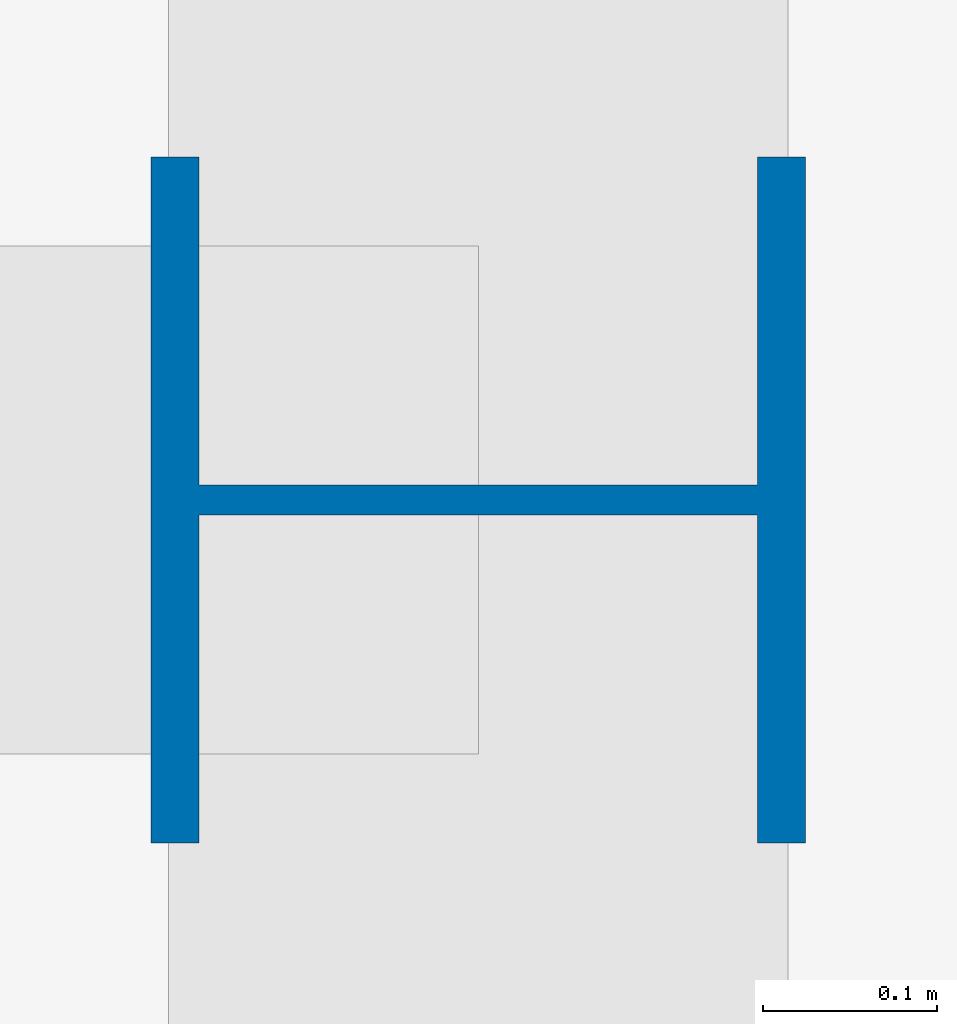
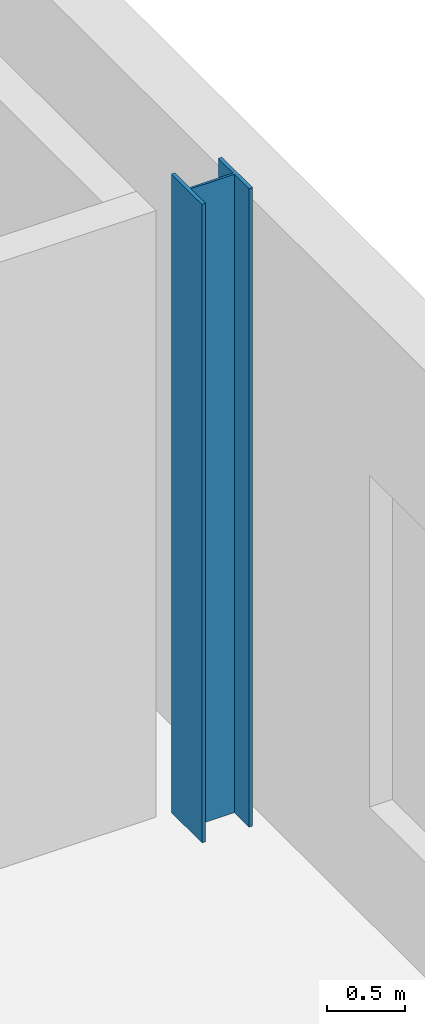
# One storey, part 6 of 28: 1 column.
"""IFC4 building model written with IfcOpenShell, lengths in metres."""

from ifc_helpers import new_model, si_unit, direction, frame, origin, origin_2d, place, context, subcontext, project, spatial, i_section, extrude, material, material_profile, profile_set, type_object, element, save


model = new_model("IFC4")

# Units and contexts
model_context = context("Model", 3, precision=1e-05, world=origin(), true_north=direction((0.0, 1.0)))
body_context = subcontext(model_context, "Body", "Model", "MODEL_VIEW")
ifc_project = project(units=[si_unit("LENGTHUNIT", "METRE"), si_unit("AREAUNIT", "SQUARE_METRE"), si_unit("VOLUMEUNIT", "CUBIC_METRE"), si_unit("PLANEANGLEUNIT", "RADIAN"), si_unit("MASSUNIT", "GRAM", prefix="KILO")], contexts=[model_context])

# Site, building, storey
site_placement = place(None, origin())
site = spatial("IfcSite", under=ifc_project, at=site_placement, CompositionType="ELEMENT")
building_placement = place(site_placement, origin())
building = spatial("IfcBuilding", under=site, at=building_placement, Name="Loomwork Tower", CompositionType="ELEMENT")
storey_placement = place(building_placement, frame((0.0, 0.0, 6.0)))
storey = spatial("IfcBuildingStorey", under=building, at=storey_placement, Name="L01", CompositionType="ELEMENT", Elevation=6.0)

# Column
ifc_material = material(Name="Steel ASTM A992", Category="steel")
ifc_material_profile = material_profile(ifc_material, i_section(OverallWidth=0.393798828125, OverallDepth=0.3759765625, WebThickness=0.017333984375, FlangeThickness=0.027587890625, at=origin_2d()), Name="W14x145")
ifc_profile_set = profile_set([ifc_material_profile], Name="Steel ASTM A992")
column_type = type_object("IfcColumnType", Name="PODIUM COLUMN W14x145", PredefinedType="COLUMN", material=ifc_profile_set)
column_placement = place(storey_placement, frame((63.0, 36.0, 0.0), z_axis=(0.0, 0.0, 1.0), x_axis=(0.0, 1.0, 0.0)))
element("IfcColumn", 1, at=column_placement, inside=storey, type_object=column_type, Name="Podium Column H/9 L01", PredefinedType="COLUMN", context=body_context, shape_type="SweptSolid", body=[
    extrude(i_section(OverallWidth=0.393798828125, OverallDepth=0.3759765625, WebThickness=0.017333984375, FlangeThickness=0.027587890625, at=origin_2d()), origin(), (0.0, 0.0, 1.0), 5.0),
])

save(model, "model.ifc")
